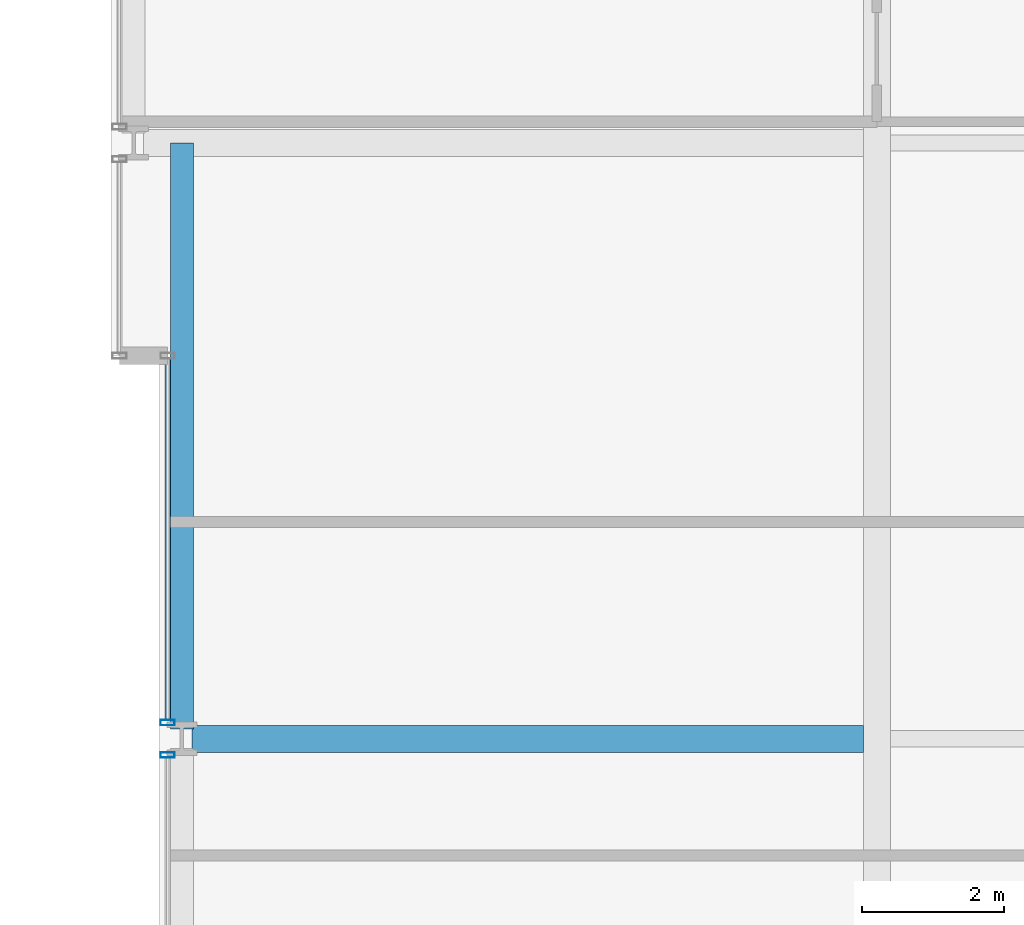
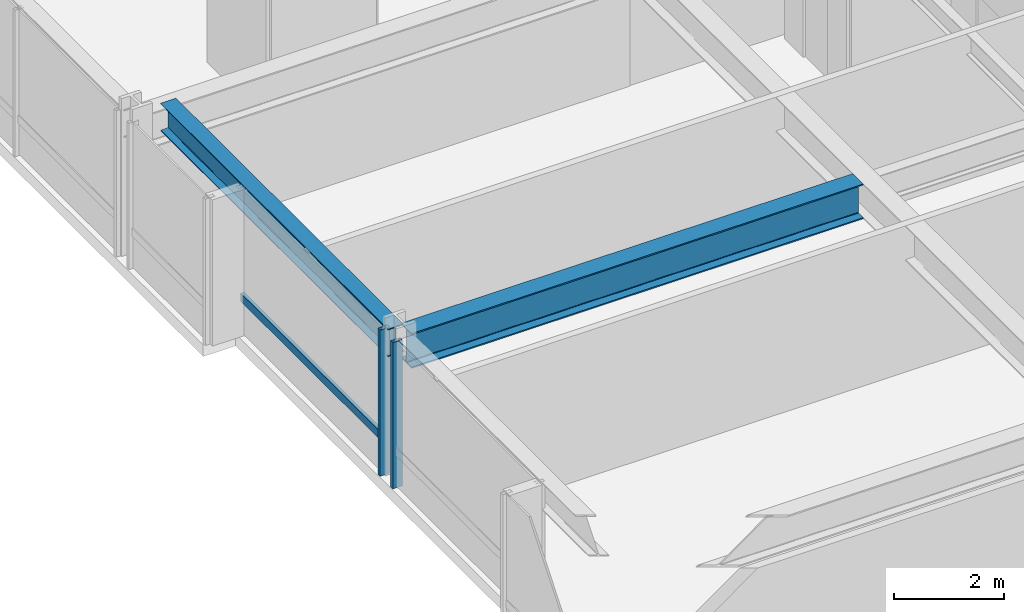
# One storey, part 9 of 37: 3 members, 2 beams, 2 elements without a shape of their own.
"""IFC4 building model written with IfcOpenShell, lengths in metres."""

from ifc_helpers import new_model, si_unit, direction, frame, origin, origin_2d, place, context, subcontext, project, spatial, hollow_rectangle, i_section, extrude, material, layer, layer_set, material_profile, profile_set, type_object, element, aggregate, save


model = new_model("IFC4")

# Units and contexts
model_context = context("Model", 3, precision=1e-05, world=origin(), true_north=direction((0.0, 1.0)))
body_context = subcontext(model_context, "Body", "Model", "MODEL_VIEW")
ifc_project = project(units=[si_unit("LENGTHUNIT", "METRE"), si_unit("AREAUNIT", "SQUARE_METRE"), si_unit("VOLUMEUNIT", "CUBIC_METRE"), si_unit("PLANEANGLEUNIT", "RADIAN"), si_unit("MASSUNIT", "GRAM", prefix="KILO")], contexts=[model_context])

# Site, building, storey
site_placement = place(None, origin())
site = spatial("IfcSite", under=ifc_project, at=site_placement, CompositionType="ELEMENT")
building_placement = place(site_placement, origin())
building = spatial("IfcBuilding", under=site, at=building_placement, Name="Drelvath Grand Hotel", CompositionType="ELEMENT")
storey_placement = place(building_placement, frame((0.0, 0.0, 75.199951171875)))
storey = spatial("IfcBuildingStorey", under=building, at=storey_placement, Name="L18", CompositionType="ELEMENT", Elevation=75.199951171875)

# Curtain wall, member
ifc_material_1 = material(Name="Warm Bronze Anodised Aluminium Frame", Category="aluminium")
ifc_layer = layer(ifc_material_1, 0.199951171875)
ifc_layer_set = layer_set([ifc_layer], Name="Warm Bronze Anodised Aluminium Frame")
curtain_wall_type = type_object("IfcCurtainWallType", Name="Stick Curtain Wall CW-02 Warm Bronze Low-Rise", PredefinedType="NOTDEFINED", material=ifc_layer_set)
curtain_wall_1_placement = place(storey_placement, origin())
curtain_wall_1 = element("IfcCurtainWall", 1, at=curtain_wall_1_placement, inside=storey, type_object=curtain_wall_type, Name="L18 CW-02 Curtain Wall CW02-L18-WM2", PredefinedType="NOTDEFINED")
ifc_material_profile_1 = material_profile(ifc_material_1, hollow_rectangle(XDim=0.074951171875, YDim=0.179931640625, WallThickness=0.0048828125, at=origin_2d()), Name="HSS180X75X5")
ifc_profile_set_1 = profile_set([ifc_material_profile_1], Name="Warm Bronze Anodised Aluminium Frame")
member_type_1 = type_object("IfcMemberType", Name="Curtain Wall Horizontal Transom CW-02 HSS180X75X5", PredefinedType="USERDEFINED", material=ifc_profile_set_1)
member_1_placement = place(storey_placement, frame((-26.199951171875, 27.26904296875, 0.81005859375), z_axis=(0.0, 1.0, 0.0), x_axis=(-1.0, 0.0, 0.0)))
member_1 = element("IfcMember", 2, at=member_1_placement, type_object=member_type_1, Name="CW02-L18-WM2 Sill Transom", ObjectType="TRANSOM", PredefinedType="USERDEFINED", context=body_context, shape_type="SweptSolid", body=[
    extrude(hollow_rectangle(XDim=0.074951171875, YDim=0.179931640625, WallThickness=0.0048828125, at=origin_2d()), origin(), (0.0, 0.0, 1.0), 5.091064453125),
])

curtain_wall_2_placement = place(storey_placement, origin())
curtain_wall_2 = element("IfcCurtainWall", 3, at=curtain_wall_2_placement, inside=storey, type_object=curtain_wall_type, Name="L18 CW-02 Curtain Wall CW02-L18-WM1", PredefinedType="NOTDEFINED")
ifc_material_profile_2 = material_profile(ifc_material_1, hollow_rectangle(XDim=0.080078125, YDim=0.199951171875, WallThickness=0.0048828125, at=origin_2d()), Name="HSS200X80X5")
ifc_profile_set_2 = profile_set([ifc_material_profile_2], Name="Warm Bronze Anodised Aluminium Frame")
member_type_2 = type_object("IfcMemberType", Name="Curtain Wall Vertical Mullion CW-02 HSS200X80X5", PredefinedType="MULLION", material=ifc_profile_set_2)
member_2_placement = place(storey_placement, frame((-26.199951171875, 26.77099609375, 0.0), z_axis=(0.0, 0.0, 1.0), x_axis=(0.0, 1.0, 0.0)))
member_2 = element("IfcMember", 4, at=member_2_placement, type_object=member_type_2, Name="CW02-L18-WM1 Mullion 2", PredefinedType="MULLION", context=body_context, shape_type="SweptSolid", body=[
    extrude(hollow_rectangle(XDim=0.080078125, YDim=0.199951171875, WallThickness=0.0048828125, at=origin_2d()), origin(), (0.0, 0.0, 1.0), 3.239990234375),
])
aggregate(curtain_wall_2, [member_2])

# Member
member_3_placement = place(storey_placement, frame((-26.199951171875, 27.22900390625, 0.0), z_axis=(0.0, 0.0, 1.0), x_axis=(0.0, 1.0, 0.0)))
member_3 = element("IfcMember", 5, at=member_3_placement, type_object=member_type_2, Name="CW02-L18-WM2 Mullion 1", PredefinedType="MULLION", context=body_context, shape_type="SweptSolid", body=[
    extrude(hollow_rectangle(XDim=0.080078125, YDim=0.199951171875, WallThickness=0.0048828125, at=origin_2d()), origin(), (0.0, 0.0, 1.0), 3.239990234375),
])

aggregate(curtain_wall_1, [member_3, member_1])

# Beams
ifc_material_2 = material(Name="Steel ASTM A992 Gr 50", Category="steel")
ifc_material_profile_3 = material_profile(ifc_material_2, i_section(OverallWidth=0.323974609375, OverallDepth=0.611083984375, WebThickness=0.0126953125, FlangeThickness=0.01904296875, FilletRadius=0.02197265625, at=origin_2d()), Name="W24X104")
ifc_profile_set_3 = profile_set([ifc_material_profile_3], Name="Steel ASTM A992 Gr 50")
beam_type_1 = type_object("IfcBeamType", Name="Perimeter Spandrel Beam W24X104", PredefinedType="SPANDREL", material=ifc_profile_set_3)
beam_1_placement = place(storey_placement, frame((-26.0, 27.139892578125, 2.9345703125), z_axis=(0.0, 1.0, 0.0), x_axis=(-1.0, 0.0, 0.0)))
element("IfcBeam", 6, at=beam_1_placement, inside=storey, type_object=beam_type_1, Name="L18 Spandrel West Mid N", PredefinedType="SPANDREL", context=body_context, shape_type="SweptSolid", body=[
    extrude(i_section(OverallWidth=0.323974609375, OverallDepth=0.611083984375, WebThickness=0.0126953125, FlangeThickness=0.01904296875, FilletRadius=0.02197265625, at=origin_2d()), origin(), (0.0, 0.0, 1.0), 8.260009765625),
])
ifc_material_profile_4 = material_profile(ifc_material_2, i_section(OverallWidth=0.380615234375, OverallDepth=0.773193359375, WebThickness=0.0166015625, FlangeThickness=0.027099609375, FilletRadius=0.02490234375, at=origin_2d()), Name="W30X173")
ifc_profile_set_4 = profile_set([ifc_material_profile_4], Name="Steel ASTM A992 Gr 50")
beam_type_2 = type_object("IfcBeamType", Name="Primary Floor Girder W30X173", PredefinedType="BEAM", material=ifc_profile_set_4)
beam_2_placement = place(storey_placement, frame((-25.860107421875, 27.0, 2.853515625), z_axis=(1.0, 0.0, 0.0), x_axis=(0.0, 1.0, 0.0)))
element("IfcBeam", 7, at=beam_2_placement, inside=storey, type_object=beam_type_2, Name="L18 West Wing Girder E", PredefinedType="BEAM", context=body_context, shape_type="SweptSolid", body=[
    extrude(i_section(OverallWidth=0.380615234375, OverallDepth=0.773193359375, WebThickness=0.0166015625, FlangeThickness=0.027099609375, FilletRadius=0.02490234375, at=origin_2d()), origin(), (0.0, 0.0, 1.0), 9.4697265625),
])

save(model, "model.ifc")
